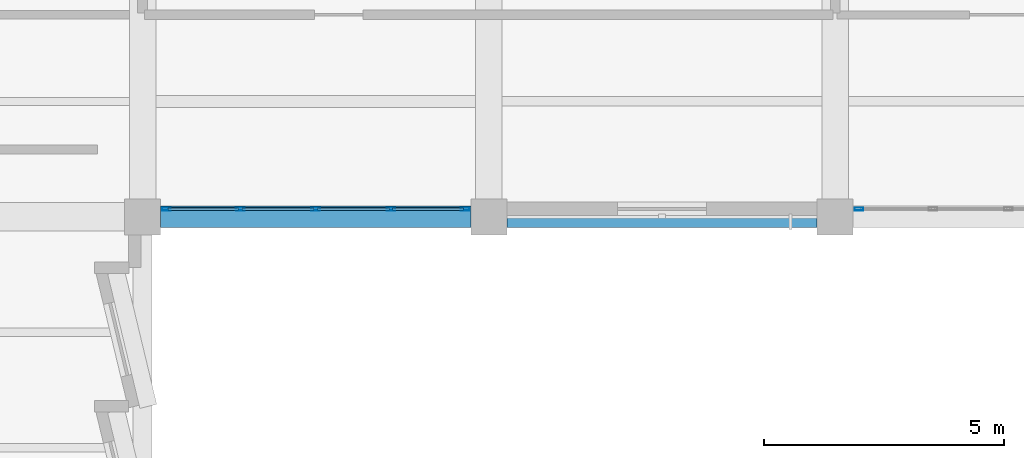
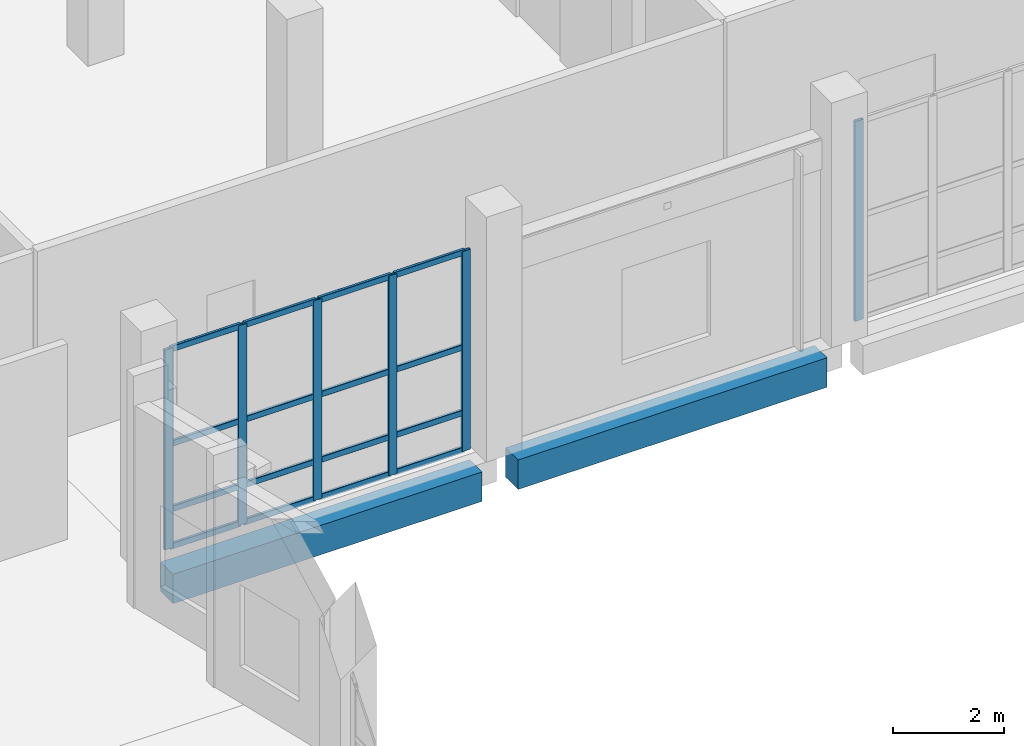
# One storey, part 50 of 137: 22 members, 2 beams, 2 elements without a shape of their own.
"""IFC4 building model written with IfcOpenShell, lengths in metres."""

from ifc_helpers import new_model, si_unit, direction, frame, origin, origin_2d, place, context, subcontext, project, spatial, rectangle, hollow_rectangle, extrude, material, material_profile, profile_set, type_object, element, aggregate, save


model = new_model("IFC4")

# Units and contexts
model_context = context("Model", 3, precision=1e-05, world=origin(), true_north=direction((0.0, 1.0)))
body_context = subcontext(model_context, "Body", "Model", "MODEL_VIEW")
ifc_project = project(units=[si_unit("LENGTHUNIT", "METRE"), si_unit("AREAUNIT", "SQUARE_METRE"), si_unit("VOLUMEUNIT", "CUBIC_METRE"), si_unit("PLANEANGLEUNIT", "RADIAN"), si_unit("MASSUNIT", "GRAM", prefix="KILO")], contexts=[model_context])

# Site, building, storey
site_placement = place(None, origin())
site = spatial("IfcSite", under=ifc_project, at=site_placement, CompositionType="ELEMENT")
building_placement = place(site_placement, origin())
building = spatial("IfcBuilding", under=site, at=building_placement, Name="Kalmorath City Hall", CompositionType="ELEMENT")
storey_placement = place(building_placement, origin())
storey = spatial("IfcBuildingStorey", under=building, at=storey_placement, Name="L00", CompositionType="ELEMENT", Elevation=0.0)

# Beams
ifc_material_1 = material(Name="Concrete C40/50", Category="concrete")
ifc_material_profile_1 = material_profile(ifc_material_1, rectangle(XDim=0.449951171875, YDim=0.64990234375, at=origin_2d()), Name="RC-BM-450X650")
ifc_profile_set_1 = profile_set([ifc_material_profile_1], Name="Concrete C40/50")
beam_type = type_object("IfcBeamType", Name="Concrete spandrel beam 450x650", PredefinedType="SPANDREL", material=ifc_profile_set_1)
for number, where, z_axis, x_axis, name in (
    (1, (29.175048828125, 93.60009765625, -0.62890625), (1.0, 0.0, 0.0), (0.0, 1.0, 0.0), "L00 girder CB5 X5-6/14"),
    (2, (36.375, 93.60009765625, -0.62890625), (1.0, 0.0, 0.0), (0.0, 1.0, 0.0), "L00 girder CB5 X6-7/14"),
):
    element("IfcBeam", number, at=place(storey_placement, frame(where, z_axis=z_axis, x_axis=x_axis)), inside=storey, type_object=beam_type, Name=name, PredefinedType="SPANDREL", context=body_context, shape_type="SweptSolid", body=[
        extrude(rectangle(XDim=0.449951171875, YDim=0.64990234375, at=origin_2d()), origin(), (0.0, 0.0, 1.0), 6.449951171875),
    ])

# Curtain wall, member
ifc_material_2 = material(Name="Anodised aluminium and laminated glass", Category="aluminium")
curtain_wall_type = type_object("IfcCurtainWallType", Name="Unitised hurricane curtain wall 6270x4411 M1550", PredefinedType="NOTDEFINED", material=ifc_material_2)
curtain_wall_1_placement = place(storey_placement, origin())
curtain_wall_1 = element("IfcCurtainWall", 3, at=curtain_wall_1_placement, inside=storey, type_object=curtain_wall_type, Name="L00 curtain wall CW-63X44M16 #53", PredefinedType="NOTDEFINED")
ifc_material_3 = material(Name="Anodised aluminium framing", Category="aluminium")
ifc_material_profile_2 = material_profile(ifc_material_3, hollow_rectangle(XDim=0.06494140625, YDim=0.179931640625, WallThickness=0.00390625, InnerFilletRadius=0.00390625, OuterFilletRadius=0.008056640625, at=origin_2d()), Name="ALU-MUL-180X65X4")
ifc_profile_set_2 = profile_set([ifc_material_profile_2], Name="Anodised aluminium framing")
member_type_1 = type_object("IfcMemberType", Name="Curtain-wall courtyard mullion 180x65", PredefinedType="MULLION", material=ifc_profile_set_2)
member_1_placement = place(storey_placement, frame((43.697509765625, 93.760009765625, 0.0), z_axis=(0.0, 0.0, 1.0), x_axis=(0.0, -1.0, 0.0)))
member_1 = element("IfcMember", 4, at=member_1_placement, type_object=member_type_1, Name="CW-63X44M16 mullion 5", PredefinedType="MULLION", context=body_context, shape_type="SweptSolid", body=[
    extrude(hollow_rectangle(XDim=0.06494140625, YDim=0.179931640625, WallThickness=0.00390625, InnerFilletRadius=0.00390625, OuterFilletRadius=0.008056640625, at=origin_2d()), origin(), (0.0, 0.0, 1.0), 4.410888671875),
])
aggregate(curtain_wall_1, [member_1])

# Curtain wall, members
curtain_wall_2_placement = place(storey_placement, origin())
curtain_wall_2 = element("IfcCurtainWall", 5, at=curtain_wall_2_placement, inside=storey, type_object=curtain_wall_type, Name="L00 curtain wall CW-63X44M16 #54", PredefinedType="NOTDEFINED")
member_2_placement = place(storey_placement, frame((35.50244140625, 93.760009765625, 0.0), z_axis=(0.0, 0.0, 1.0), x_axis=(0.0, -1.0, 0.0)))
member_2 = element("IfcMember", 6, at=member_2_placement, type_object=member_type_1, Name="CW-63X44M16 mullion 1", PredefinedType="MULLION", context=body_context, shape_type="SweptSolid", body=[
    extrude(hollow_rectangle(XDim=0.06494140625, YDim=0.179931640625, WallThickness=0.00390625, InnerFilletRadius=0.00390625, OuterFilletRadius=0.008056640625, at=origin_2d()), origin(), (0.0, 0.0, 1.0), 4.410888671875),
])
member_3_placement = place(storey_placement, frame((33.967529296875, 93.760009765625, 0.0), z_axis=(0.0, 0.0, 1.0), x_axis=(0.0, -1.0, 0.0)))
member_3 = element("IfcMember", 7, at=member_3_placement, type_object=member_type_1, Name="CW-63X44M16 mullion 2", PredefinedType="MULLION", context=body_context, shape_type="SweptSolid", body=[
    extrude(hollow_rectangle(XDim=0.06494140625, YDim=0.179931640625, WallThickness=0.00390625, InnerFilletRadius=0.00390625, OuterFilletRadius=0.008056640625, at=origin_2d()), origin(), (0.0, 0.0, 1.0), 4.410888671875),
])
member_4_placement = place(storey_placement, frame((32.39990234375, 93.760009765625, 0.0), z_axis=(0.0, 0.0, 1.0), x_axis=(0.0, -1.0, 0.0)))
member_4 = element("IfcMember", 8, at=member_4_placement, type_object=member_type_1, Name="CW-63X44M16 mullion 3", PredefinedType="MULLION", context=body_context, shape_type="SweptSolid", body=[
    extrude(hollow_rectangle(XDim=0.06494140625, YDim=0.179931640625, WallThickness=0.00390625, InnerFilletRadius=0.00390625, OuterFilletRadius=0.008056640625, at=origin_2d()), origin(), (0.0, 0.0, 1.0), 4.410888671875),
])
member_5_placement = place(storey_placement, frame((30.83251953125, 93.760009765625, 0.0), z_axis=(0.0, 0.0, 1.0), x_axis=(0.0, -1.0, 0.0)))
member_5 = element("IfcMember", 9, at=member_5_placement, type_object=member_type_1, Name="CW-63X44M16 mullion 4", PredefinedType="MULLION", context=body_context, shape_type="SweptSolid", body=[
    extrude(hollow_rectangle(XDim=0.06494140625, YDim=0.179931640625, WallThickness=0.00390625, InnerFilletRadius=0.00390625, OuterFilletRadius=0.008056640625, at=origin_2d()), origin(), (0.0, 0.0, 1.0), 4.410888671875),
])
member_6_placement = place(storey_placement, frame((29.297607421875, 93.760009765625, 0.0), z_axis=(0.0, 0.0, 1.0), x_axis=(0.0, -1.0, 0.0)))
member_6 = element("IfcMember", 10, at=member_6_placement, type_object=member_type_1, Name="CW-63X44M16 mullion 5", PredefinedType="MULLION", context=body_context, shape_type="SweptSolid", body=[
    extrude(hollow_rectangle(XDim=0.06494140625, YDim=0.179931640625, WallThickness=0.00390625, InnerFilletRadius=0.00390625, OuterFilletRadius=0.008056640625, at=origin_2d()), origin(), (0.0, 0.0, 1.0), 4.410888671875),
])
ifc_material_4 = material(Name="Anodised aluminium framing", Category="aluminium")
ifc_material_profile_3 = material_profile(ifc_material_4, hollow_rectangle(XDim=0.06005859375, YDim=0.1298828125, WallThickness=0.00341796875, InnerFilletRadius=0.00341796875, OuterFilletRadius=0.007080078125, at=origin_2d()), Name="ALU-TRN-130X60X3.5")
ifc_profile_set_3 = profile_set([ifc_material_profile_3], Name="Anodised aluminium framing")
member_type_2 = type_object("IfcMemberType", Name="Curtain-wall courtyard transom 130x60", PredefinedType="USERDEFINED", material=ifc_profile_set_3)
member_7_placement = place(storey_placement, frame((35.469970703125, 93.760009765625, 0.030029296875), z_axis=(-1.0, 0.0, 0.0), x_axis=(0.0, -1.0, 0.0)))
member_7 = element("IfcMember", 11, at=member_7_placement, type_object=member_type_2, Name="CW-63X44M16 transom 1.1", ObjectType="TRANSOM", PredefinedType="USERDEFINED", context=body_context, shape_type="SweptSolid", body=[
    extrude(hollow_rectangle(XDim=0.06005859375, YDim=0.1298828125, WallThickness=0.00341796875, InnerFilletRadius=0.00341796875, OuterFilletRadius=0.007080078125, at=origin_2d()), origin(), (0.0, 0.0, 1.0), 1.469970703125),
])
member_8_placement = place(storey_placement, frame((35.469970703125, 93.760009765625, 0.85009765625), z_axis=(-1.0, 0.0, 0.0), x_axis=(0.0, -1.0, 0.0)))
member_8 = element("IfcMember", 12, at=member_8_placement, type_object=member_type_2, Name="CW-63X44M16 transom 1.2", ObjectType="TRANSOM", PredefinedType="USERDEFINED", context=body_context, shape_type="SweptSolid", body=[
    extrude(hollow_rectangle(XDim=0.06005859375, YDim=0.1298828125, WallThickness=0.00341796875, InnerFilletRadius=0.00341796875, OuterFilletRadius=0.007080078125, at=origin_2d()), origin(), (0.0, 0.0, 1.0), 1.469970703125),
])
member_9_placement = place(storey_placement, frame((35.469970703125, 93.760009765625, 2.2939453125), z_axis=(-1.0, 0.0, 0.0), x_axis=(0.0, -1.0, 0.0)))
member_9 = element("IfcMember", 13, at=member_9_placement, type_object=member_type_2, Name="CW-63X44M16 transom 1.3", ObjectType="TRANSOM", PredefinedType="USERDEFINED", context=body_context, shape_type="SweptSolid", body=[
    extrude(hollow_rectangle(XDim=0.06005859375, YDim=0.1298828125, WallThickness=0.00341796875, InnerFilletRadius=0.00341796875, OuterFilletRadius=0.007080078125, at=origin_2d()), origin(), (0.0, 0.0, 1.0), 1.469970703125),
])
member_10_placement = place(storey_placement, frame((35.469970703125, 93.760009765625, 4.381103515625), z_axis=(-1.0, 0.0, 0.0), x_axis=(0.0, -1.0, 0.0)))
member_10 = element("IfcMember", 14, at=member_10_placement, type_object=member_type_2, Name="CW-63X44M16 transom 1.4", ObjectType="TRANSOM", PredefinedType="USERDEFINED", context=body_context, shape_type="SweptSolid", body=[
    extrude(hollow_rectangle(XDim=0.06005859375, YDim=0.1298828125, WallThickness=0.00341796875, InnerFilletRadius=0.00341796875, OuterFilletRadius=0.007080078125, at=origin_2d()), origin(), (0.0, 0.0, 1.0), 1.469970703125),
])
member_11_placement = place(storey_placement, frame((33.93505859375, 93.760009765625, 0.030029296875), z_axis=(-1.0, 0.0, 0.0), x_axis=(0.0, -1.0, 0.0)))
member_11 = element("IfcMember", 15, at=member_11_placement, type_object=member_type_2, Name="CW-63X44M16 transom 2.1", ObjectType="TRANSOM", PredefinedType="USERDEFINED", context=body_context, shape_type="SweptSolid", body=[
    extrude(hollow_rectangle(XDim=0.06005859375, YDim=0.1298828125, WallThickness=0.00341796875, InnerFilletRadius=0.00341796875, OuterFilletRadius=0.007080078125, at=origin_2d()), origin(), (0.0, 0.0, 1.0), 1.50244140625),
])
member_12_placement = place(storey_placement, frame((33.93505859375, 93.760009765625, 0.85009765625), z_axis=(-1.0, 0.0, 0.0), x_axis=(0.0, -1.0, 0.0)))
member_12 = element("IfcMember", 16, at=member_12_placement, type_object=member_type_2, Name="CW-63X44M16 transom 2.2", ObjectType="TRANSOM", PredefinedType="USERDEFINED", context=body_context, shape_type="SweptSolid", body=[
    extrude(hollow_rectangle(XDim=0.06005859375, YDim=0.1298828125, WallThickness=0.00341796875, InnerFilletRadius=0.00341796875, OuterFilletRadius=0.007080078125, at=origin_2d()), origin(), (0.0, 0.0, 1.0), 1.50244140625),
])
member_13_placement = place(storey_placement, frame((33.93505859375, 93.760009765625, 2.2939453125), z_axis=(-1.0, 0.0, 0.0), x_axis=(0.0, -1.0, 0.0)))
member_13 = element("IfcMember", 17, at=member_13_placement, type_object=member_type_2, Name="CW-63X44M16 transom 2.3", ObjectType="TRANSOM", PredefinedType="USERDEFINED", context=body_context, shape_type="SweptSolid", body=[
    extrude(hollow_rectangle(XDim=0.06005859375, YDim=0.1298828125, WallThickness=0.00341796875, InnerFilletRadius=0.00341796875, OuterFilletRadius=0.007080078125, at=origin_2d()), origin(), (0.0, 0.0, 1.0), 1.50244140625),
])
member_14_placement = place(storey_placement, frame((33.93505859375, 93.760009765625, 4.381103515625), z_axis=(-1.0, 0.0, 0.0), x_axis=(0.0, -1.0, 0.0)))
member_14 = element("IfcMember", 18, at=member_14_placement, type_object=member_type_2, Name="CW-63X44M16 transom 2.4", ObjectType="TRANSOM", PredefinedType="USERDEFINED", context=body_context, shape_type="SweptSolid", body=[
    extrude(hollow_rectangle(XDim=0.06005859375, YDim=0.1298828125, WallThickness=0.00341796875, InnerFilletRadius=0.00341796875, OuterFilletRadius=0.007080078125, at=origin_2d()), origin(), (0.0, 0.0, 1.0), 1.50244140625),
])
member_15_placement = place(storey_placement, frame((32.367431640625, 93.760009765625, 0.030029296875), z_axis=(-1.0, 0.0, 0.0), x_axis=(0.0, -1.0, 0.0)))
member_15 = element("IfcMember", 19, at=member_15_placement, type_object=member_type_2, Name="CW-63X44M16 transom 3.1", ObjectType="TRANSOM", PredefinedType="USERDEFINED", context=body_context, shape_type="SweptSolid", body=[
    extrude(hollow_rectangle(XDim=0.06005859375, YDim=0.1298828125, WallThickness=0.00341796875, InnerFilletRadius=0.00341796875, OuterFilletRadius=0.007080078125, at=origin_2d()), origin(), (0.0, 0.0, 1.0), 1.50244140625),
])
member_16_placement = place(storey_placement, frame((32.367431640625, 93.760009765625, 0.85009765625), z_axis=(-1.0, 0.0, 0.0), x_axis=(0.0, -1.0, 0.0)))
member_16 = element("IfcMember", 20, at=member_16_placement, type_object=member_type_2, Name="CW-63X44M16 transom 3.2", ObjectType="TRANSOM", PredefinedType="USERDEFINED", context=body_context, shape_type="SweptSolid", body=[
    extrude(hollow_rectangle(XDim=0.06005859375, YDim=0.1298828125, WallThickness=0.00341796875, InnerFilletRadius=0.00341796875, OuterFilletRadius=0.007080078125, at=origin_2d()), origin(), (0.0, 0.0, 1.0), 1.50244140625),
])
member_17_placement = place(storey_placement, frame((32.367431640625, 93.760009765625, 2.2939453125), z_axis=(-1.0, 0.0, 0.0), x_axis=(0.0, -1.0, 0.0)))
member_17 = element("IfcMember", 21, at=member_17_placement, type_object=member_type_2, Name="CW-63X44M16 transom 3.3", ObjectType="TRANSOM", PredefinedType="USERDEFINED", context=body_context, shape_type="SweptSolid", body=[
    extrude(hollow_rectangle(XDim=0.06005859375, YDim=0.1298828125, WallThickness=0.00341796875, InnerFilletRadius=0.00341796875, OuterFilletRadius=0.007080078125, at=origin_2d()), origin(), (0.0, 0.0, 1.0), 1.50244140625),
])
member_18_placement = place(storey_placement, frame((32.367431640625, 93.760009765625, 4.381103515625), z_axis=(-1.0, 0.0, 0.0), x_axis=(0.0, -1.0, 0.0)))
member_18 = element("IfcMember", 22, at=member_18_placement, type_object=member_type_2, Name="CW-63X44M16 transom 3.4", ObjectType="TRANSOM", PredefinedType="USERDEFINED", context=body_context, shape_type="SweptSolid", body=[
    extrude(hollow_rectangle(XDim=0.06005859375, YDim=0.1298828125, WallThickness=0.00341796875, InnerFilletRadius=0.00341796875, OuterFilletRadius=0.007080078125, at=origin_2d()), origin(), (0.0, 0.0, 1.0), 1.50244140625),
])
member_19_placement = place(storey_placement, frame((30.800048828125, 93.760009765625, 0.030029296875), z_axis=(-1.0, 0.0, 0.0), x_axis=(0.0, -1.0, 0.0)))
member_19 = element("IfcMember", 23, at=member_19_placement, type_object=member_type_2, Name="CW-63X44M16 transom 4.1", ObjectType="TRANSOM", PredefinedType="USERDEFINED", context=body_context, shape_type="SweptSolid", body=[
    extrude(hollow_rectangle(XDim=0.06005859375, YDim=0.1298828125, WallThickness=0.00341796875, InnerFilletRadius=0.00341796875, OuterFilletRadius=0.007080078125, at=origin_2d()), origin(), (0.0, 0.0, 1.0), 1.469970703125),
])
member_20_placement = place(storey_placement, frame((30.800048828125, 93.760009765625, 0.85009765625), z_axis=(-1.0, 0.0, 0.0), x_axis=(0.0, -1.0, 0.0)))
member_20 = element("IfcMember", 24, at=member_20_placement, type_object=member_type_2, Name="CW-63X44M16 transom 4.2", ObjectType="TRANSOM", PredefinedType="USERDEFINED", context=body_context, shape_type="SweptSolid", body=[
    extrude(hollow_rectangle(XDim=0.06005859375, YDim=0.1298828125, WallThickness=0.00341796875, InnerFilletRadius=0.00341796875, OuterFilletRadius=0.007080078125, at=origin_2d()), origin(), (0.0, 0.0, 1.0), 1.469970703125),
])
member_21_placement = place(storey_placement, frame((30.800048828125, 93.760009765625, 2.2939453125), z_axis=(-1.0, 0.0, 0.0), x_axis=(0.0, -1.0, 0.0)))
member_21 = element("IfcMember", 25, at=member_21_placement, type_object=member_type_2, Name="CW-63X44M16 transom 4.3", ObjectType="TRANSOM", PredefinedType="USERDEFINED", context=body_context, shape_type="SweptSolid", body=[
    extrude(hollow_rectangle(XDim=0.06005859375, YDim=0.1298828125, WallThickness=0.00341796875, InnerFilletRadius=0.00341796875, OuterFilletRadius=0.007080078125, at=origin_2d()), origin(), (0.0, 0.0, 1.0), 1.469970703125),
])
member_22_placement = place(storey_placement, frame((30.800048828125, 93.760009765625, 4.381103515625), z_axis=(-1.0, 0.0, 0.0), x_axis=(0.0, -1.0, 0.0)))
member_22 = element("IfcMember", 26, at=member_22_placement, type_object=member_type_2, Name="CW-63X44M16 transom 4.4", ObjectType="TRANSOM", PredefinedType="USERDEFINED", context=body_context, shape_type="SweptSolid", body=[
    extrude(hollow_rectangle(XDim=0.06005859375, YDim=0.1298828125, WallThickness=0.00341796875, InnerFilletRadius=0.00341796875, OuterFilletRadius=0.007080078125, at=origin_2d()), origin(), (0.0, 0.0, 1.0), 1.469970703125),
])
aggregate(curtain_wall_2, [member_2, member_3, member_4, member_5, member_6, member_7, member_8, member_9, member_10, member_11, member_12, member_13, member_14, member_15, member_16, member_17, member_18, member_19, member_20, member_21, member_22])

save(model, "model.ifc")
